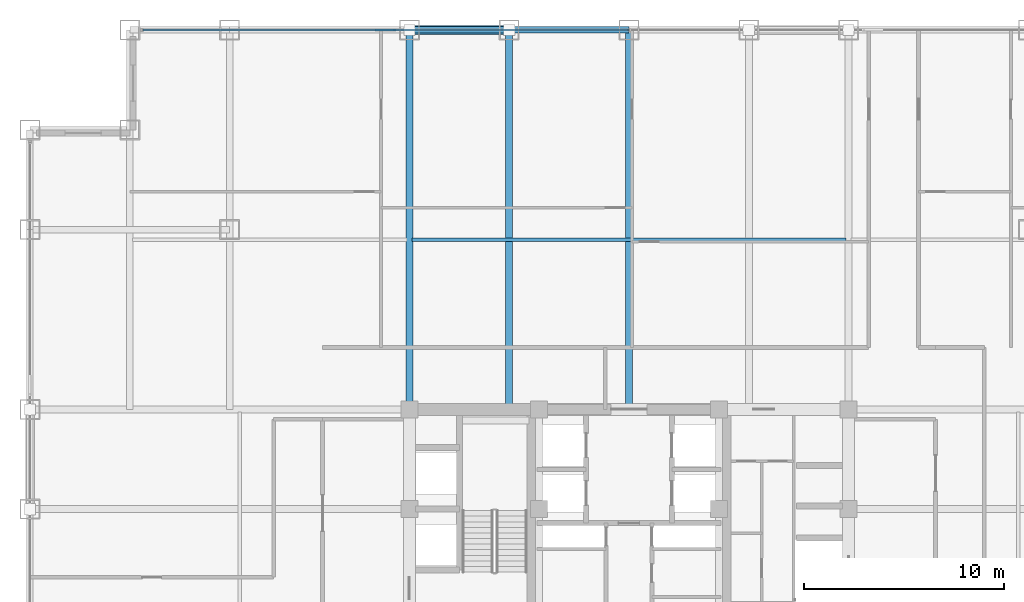
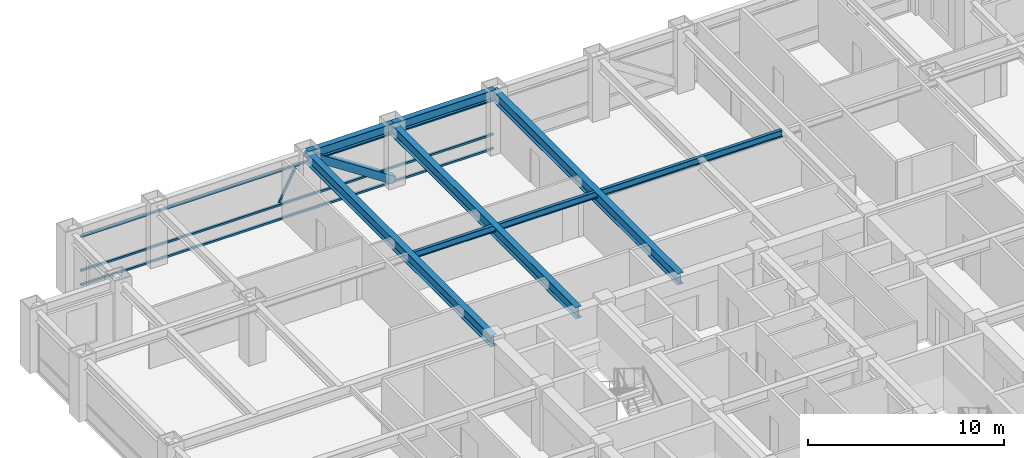
# One storey, part 15 of 25: 6 beams, 5 members, 1 element without a shape of its own.
"""IFC4 building model written with IfcOpenShell, lengths in metres."""

from ifc_helpers import new_model, si_unit, direction, frame, origin, origin_2d, place, context, subcontext, project, spatial, hollow_rectangle, i_section, extrude, source, transform, mapped, material, material_profile, profile_set, type_object, element, aggregate, save


model = new_model("IFC4")

# Units and contexts
model_context = context("Model", 3, precision=1e-05, world=origin(), true_north=direction((0.0, 1.0)))
body_context = subcontext(model_context, "Body", "Model", "MODEL_VIEW")
ifc_project = project(units=[si_unit("LENGTHUNIT", "METRE"), si_unit("AREAUNIT", "SQUARE_METRE"), si_unit("VOLUMEUNIT", "CUBIC_METRE"), si_unit("PLANEANGLEUNIT", "RADIAN"), si_unit("MASSUNIT", "GRAM", prefix="KILO")], contexts=[model_context])

# Site, building, storey
site_placement = place(None, origin())
site = spatial("IfcSite", under=ifc_project, at=site_placement, CompositionType="ELEMENT")
building_placement = place(site_placement, origin())
building = spatial("IfcBuilding", under=site, at=building_placement, Name="Khorayat Bourse Tower", CompositionType="ELEMENT")
storey_placement = place(building_placement, frame((0.0, 0.0, 231.10009765625)))
storey = spatial("IfcBuildingStorey", under=building, at=storey_placement, Name="L54", CompositionType="ELEMENT", Elevation=231.10009765625)

# Beams
ifc_material_1 = material(Name="Steel ASTM A992 Grade 50", Category="steel")
ifc_material_profile_1 = material_profile(ifc_material_1, i_section(OverallWidth=0.180908203125, OverallDepth=0.4169921875, WebThickness=0.010986328125, FlangeThickness=0.018310546875, FilletRadius=0.011962890625, at=origin_2d()), Name="W410X85")
ifc_profile_set_1 = profile_set([ifc_material_profile_1], Name="Steel ASTM A992 Grade 50")
beam_type_1 = type_object("IfcBeamType", Name="BM-JOIST-410", PredefinedType="JOIST", material=ifc_profile_set_1)
shared_shape_1 = source(origin(), body_context, "Body", "SweptSolid", [
    extrude(i_section(OverallWidth=0.180908203125, OverallDepth=0.4169921875, WebThickness=0.010986328125, FlangeThickness=0.018310546875, FilletRadius=0.011962890625, at=origin_2d()), origin(), (0.0, 0.0, 1.0), 21.740234375),
])
beam_1_placement = place(storey_placement, frame((-10.8701171875, 19.5, 3.5712890625), z_axis=(1.0, 0.0, 0.0), x_axis=(0.0, 1.0, 0.0)))
element("IfcBeam", 1, at=beam_1_placement, inside=storey, type_object=beam_type_1, Name="L54 BM-JOIST-410 BM-L54-JSTX-100", PredefinedType="JOIST", context=body_context, shape_type="MappedRepresentation", body=[
    mapped(shared_shape_1, transform((0.0, 0.0, 0.0), scale=1.0)),
])
ifc_material_profile_2 = material_profile(ifc_material_1, i_section(OverallWidth=0.324951171875, OverallDepth=0.615966796875, WebThickness=0.013916015625, FlangeThickness=0.021484375, FilletRadius=0.01611328125, at=origin_2d()), Name="W610X174")
ifc_profile_set_2 = profile_set([ifc_material_profile_2], Name="Steel ASTM A992 Grade 50")
beam_type_2 = type_object("IfcBeamType", Name="BM-SPAN-610", PredefinedType="SPANDREL", material=ifc_profile_set_2)
shared_shape_2 = source(origin(), body_context, "Body", "SweptSolid", [
    extrude(i_section(OverallWidth=0.324951171875, OverallDepth=0.615966796875, WebThickness=0.013916015625, FlangeThickness=0.021484375, FilletRadius=0.01611328125, at=origin_2d()), origin(), (0.0, 0.0, 1.0), 5.0),
])
beam_2_placement = place(storey_placement, frame((-11.0, 30.0, 3.471923828125), z_axis=(1.0, 0.0, 0.0), x_axis=(0.0, 1.0, 0.0)))
element("IfcBeam", 2, at=beam_2_placement, inside=storey, type_object=beam_type_2, Name="L54 BM-SPAN-610 BM-L54-SPN-049", PredefinedType="SPANDREL", context=body_context, shape_type="MappedRepresentation", body=[
    mapped(shared_shape_2, transform((0.0, 0.0, 0.0), scale=1.0)),
])
shared_shape_3 = source(origin(), body_context, "Body", "SweptSolid", [
    extrude(i_section(OverallWidth=0.324951171875, OverallDepth=0.615966796875, WebThickness=0.013916015625, FlangeThickness=0.021484375, FilletRadius=0.01611328125, at=origin_2d()), origin(), (0.0, 0.0, 1.0), 6.0),
])
beam_3_placement = place(storey_placement, frame((-6.0, 30.0, 3.471923828125), z_axis=(1.0, 0.0, 0.0), x_axis=(0.0, 1.0, 0.0)))
element("IfcBeam", 3, at=beam_3_placement, inside=storey, type_object=beam_type_2, Name="L54 BM-SPAN-610 BM-L54-SPN-048", PredefinedType="SPANDREL", context=body_context, shape_type="MappedRepresentation", body=[
    mapped(shared_shape_3, transform((0.0, 0.0, 0.0), scale=1.0)),
])
ifc_material_profile_3 = material_profile(ifc_material_1, i_section(OverallWidth=0.35498046875, OverallDepth=0.695068359375, WebThickness=0.015380859375, FlangeThickness=0.02490234375, FilletRadius=0.01806640625, at=origin_2d()), Name="W690X217")
ifc_profile_set_3 = profile_set([ifc_material_profile_3], Name="Steel ASTM A992 Grade 50")
beam_type_3 = type_object("IfcBeamType", Name="BM-GIRD-690", PredefinedType="BEAM", material=ifc_profile_set_3)
shared_shape_4 = source(origin(), body_context, "Body", "SweptSolid", [
    extrude(i_section(OverallWidth=0.35498046875, OverallDepth=0.695068359375, WebThickness=0.015380859375, FlangeThickness=0.02490234375, FilletRadius=0.01806640625, at=origin_2d()), origin(), (0.0, 0.0, 1.0), 19.0),
])
for number, where, z_axis, x_axis, name in (
    (4, (-11.0, 11.0, 3.432373046875), (0.0, 1.0, 0.0), (-1.0, 0.0, 0.0), "L54 BM-GIRD-690 BM-L54-RADY-064"),
    (5, (-6.0, 11.0, 3.432373046875), (0.0, 1.0, 0.0), (-1.0, 0.0, 0.0), "L54 BM-GIRD-690 BM-L54-RADY-066"),
    (6, (0.0, 11.0, 3.432373046875), (0.0, 1.0, 0.0), (-1.0, 0.0, 0.0), "L54 BM-GIRD-690 BM-L54-RADY-068"),
):
    element("IfcBeam", number, at=place(storey_placement, frame(where, z_axis=z_axis, x_axis=x_axis)), inside=storey, type_object=beam_type_3, Name=name, PredefinedType="BEAM", context=body_context, shape_type="MappedRepresentation", body=[
        mapped(shared_shape_4, transform((0.0, 0.0, 0.0), scale=1.0)),
    ])

# Member
ifc_material_2 = material(Name="Steel EN 10025-4 S460M", Category="steel")
ifc_material_profile_4 = material_profile(ifc_material_2, hollow_rectangle(XDim=0.449951171875, YDim=0.449951171875, WallThickness=0.02490234375, at=origin_2d()), Name="HSS 450x450x25")
ifc_profile_set_4 = profile_set([ifc_material_profile_4], Name="Steel EN 10025-4 S460M")
member_type_1 = type_object("IfcMemberType", Name="MBR-TUBE-450", PredefinedType="BRACE", material=ifc_profile_set_4)
shared_shape_5 = source(origin(), body_context, "Body", "SweptSolid", [
    extrude(hollow_rectangle(XDim=0.449951171875, YDim=0.449951171875, WallThickness=0.02490234375, at=origin_2d()), origin(), (0.0, 0.0, 1.0), 5.979736328125),
])
member_1_placement = place(storey_placement, frame((-11.0, 30.0, 3.52978515625), z_axis=(0.836160261256, 0.0, -0.548485202623), x_axis=(0.0, 1.0, 0.0)))
element("IfcMember", 7, at=member_1_placement, inside=storey, type_object=member_type_1, Name="L54 Perimeter Tube Brace 03", PredefinedType="BRACE", context=body_context, shape_type="MappedRepresentation", body=[
    mapped(shared_shape_5, transform((0.0, 0.0, 0.0), scale=1.0)),
])

# Curtain wall, members
ifc_material_3 = material(Name="Aluminium EN AW-6063 T6", Category="aluminium")
curtain_wall_type = type_object("IfcCurtainWallType", Name="CW-SYS-03", PredefinedType="NOTDEFINED", material=ifc_material_3)
curtain_wall_placement = place(storey_placement, origin())
curtain_wall = element("IfcCurtainWall", 8, at=curtain_wall_placement, inside=storey, type_object=curtain_wall_type, Name="L54 Curtain Wall CW-L54-N1", PredefinedType="NOTDEFINED")
ifc_material_profile_5 = material_profile(ifc_material_3, hollow_rectangle(XDim=0.1201171875, YDim=0.1201171875, WallThickness=0.0048828125, at=origin_2d()), Name="ALU 120x120x5")
ifc_profile_set_5 = profile_set([ifc_material_profile_5], Name="Aluminium EN AW-6063 T6")
member_type_2 = type_object("IfcMemberType", Name="CWM-DIAG-120", PredefinedType="MULLION", material=ifc_profile_set_5)
shared_shape_6 = source(origin(), body_context, "Body", "SweptSolid", [
    extrude(hollow_rectangle(XDim=0.1201171875, YDim=0.1201171875, WallThickness=0.0048828125, at=origin_2d()), origin(), (0.0, 0.0, 1.0), 2.079345703125),
])
member_2_placement = place(storey_placement, frame((-12.67919921875, 30.0, 1.08984375), z_axis=(0.465760949701, 0.0, 0.884910581773), x_axis=(0.0, 1.0, 0.0)))
member_2 = element("IfcMember", 9, at=member_2_placement, type_object=member_type_2, Name="CW-L54-N1 Faceted Diagonal Mullion 1", PredefinedType="MULLION", context=body_context, shape_type="MappedRepresentation", body=[
    mapped(shared_shape_6, transform((0.0, 0.0, 0.0), scale=1.0)),
])
ifc_material_profile_6 = material_profile(ifc_material_3, hollow_rectangle(XDim=0.1201171875, YDim=0.1201171875, WallThickness=0.0048828125, at=origin_2d()), Name="ALU 120x120x5")
ifc_profile_set_6 = profile_set([ifc_material_profile_6], Name="Aluminium EN AW-6063 T6")
member_type_3 = type_object("IfcMemberType", Name="CWT-HORZ-120", PredefinedType="USERDEFINED", material=ifc_profile_set_6)
shared_shape_7 = source(origin(), body_context, "Body", "SweptSolid", [
    extrude(hollow_rectangle(XDim=0.1201171875, YDim=0.1201171875, WallThickness=0.0048828125, at=origin_2d()), origin(), (0.0, 0.0, 1.0), 24.27001953125),
])
member_3_placement = place(storey_placement, frame((-24.330078125, 30.0, 0.059814453125), z_axis=(1.0, 0.0, 0.0), x_axis=(0.0, 1.0, 0.0)))
member_3 = element("IfcMember", 10, at=member_3_placement, type_object=member_type_3, Name="CW-L54-N1 Horizontal Transom 1-1", ObjectType="TRANSOM", PredefinedType="USERDEFINED", context=body_context, shape_type="MappedRepresentation", body=[
    mapped(shared_shape_7, transform((0.0, 0.0, 0.0), scale=1.0)),
])
member_4_placement = place(storey_placement, frame((-24.330078125, 30.0, 0.949951171875), z_axis=(1.0, 0.0, 0.0), x_axis=(0.0, 1.0, 0.0)))
member_4 = element("IfcMember", 11, at=member_4_placement, type_object=member_type_3, Name="CW-L54-N1 Horizontal Transom 1-2", ObjectType="TRANSOM", PredefinedType="USERDEFINED", context=body_context, shape_type="MappedRepresentation", body=[
    mapped(shared_shape_7, transform((0.0, 0.0, 0.0), scale=1.0)),
])
member_5_placement = place(storey_placement, frame((-24.330078125, 30.0, 3.06982421875), z_axis=(1.0, 0.0, 0.0), x_axis=(0.0, 1.0, 0.0)))
member_5 = element("IfcMember", 12, at=member_5_placement, type_object=member_type_3, Name="CW-L54-N1 Horizontal Transom 1-3", ObjectType="TRANSOM", PredefinedType="USERDEFINED", context=body_context, shape_type="MappedRepresentation", body=[
    mapped(shared_shape_7, transform((0.0, 0.0, 0.0), scale=1.0)),
])
aggregate(curtain_wall, [member_3, member_4, member_5, member_2])

save(model, "model.ifc")
